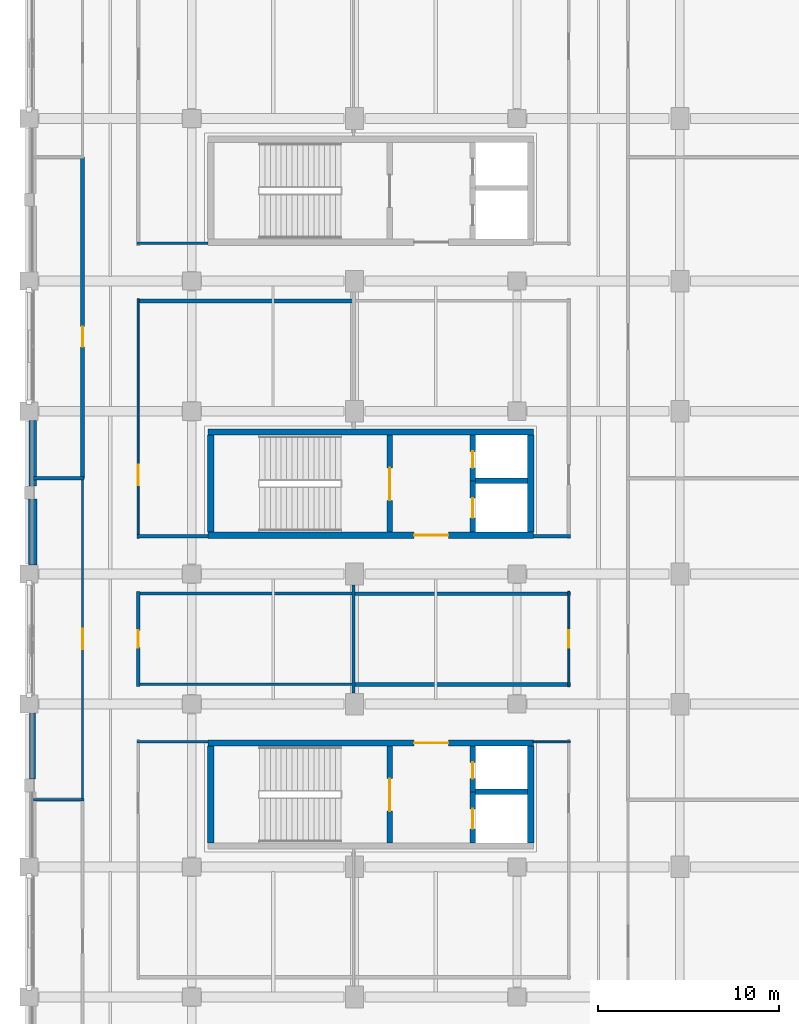
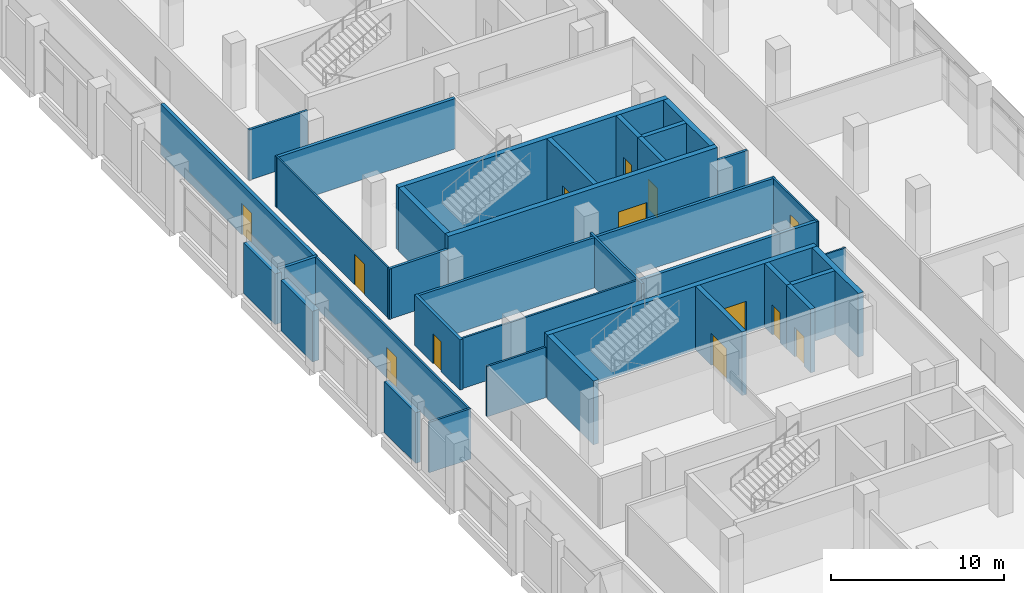
# One storey, part 70 of 111: 36 walls, 13 doors, 13 openings.
"""IFC4 building model written with IfcOpenShell, lengths in metres."""

from ifc_helpers import new_model, si_unit, direction, frame, frame_2d, origin, place, context, subcontext, project, spatial, rectangle, extrude, material, layer, layer_set, type_object, element, fill, save


model = new_model("IFC4")

# Units and contexts
model_context = context("Model", 3, precision=1e-05, world=origin(), true_north=direction((0.0, 1.0)))
body_context = subcontext(model_context, "Body", "Model", "MODEL_VIEW")
ifc_project = project(units=[si_unit("LENGTHUNIT", "METRE"), si_unit("AREAUNIT", "SQUARE_METRE"), si_unit("VOLUMEUNIT", "CUBIC_METRE"), si_unit("PLANEANGLEUNIT", "RADIAN"), si_unit("MASSUNIT", "GRAM", prefix="KILO"), si_unit("THERMODYNAMICTEMPERATUREUNIT", "KELVIN"), si_unit("POWERUNIT", "WATT")], contexts=[model_context])

# Site, building, storey
site_placement = place(None, origin())
site = spatial("IfcSite", under=ifc_project, at=site_placement, CompositionType="ELEMENT")
building_placement = place(site_placement, origin())
building = spatial("IfcBuilding", under=site, at=building_placement, Name="Sindhuravela Promenade Stadium", CompositionType="ELEMENT")
storey_placement = place(building_placement, frame((0.0, 0.0, 9.60009765625)))
storey = spatial("IfcBuildingStorey", under=building, at=storey_placement, Name="L02", CompositionType="ELEMENT", Elevation=9.60009765625)

# Walls
ifc_material_1 = material(Name="Terracotta clay brick masonry (15 MPa)", Category="masonry")
ifc_layer_1 = layer(ifc_material_1, 0.340087890625)
ifc_layer_set_1 = layer_set([ifc_layer_1], Name="Terracotta clay brick masonry (15 MPa)")
wall_type_1 = type_object("IfcWallType", Name="EX-WL-BRK340", PredefinedType="SOLIDWALL", material=ifc_layer_set_1)
wall_1_placement = place(storey_placement, frame((0.199951171875, 73.2548828125, 0.0), z_axis=(0.0, 0.0, 1.0), x_axis=(0.0, 1.0, 0.0)))
element("IfcWall", 1, at=wall_1_placement, inside=storey, type_object=wall_type_1, Name="Exterior masonry wall EW06 WEST L02", PredefinedType="SOLIDWALL", context=body_context, shape_type="SweptSolid", body=[
    extrude(rectangle(XDim=3.64013671875, YDim=0.340087890625, at=frame_2d((1.820068359375, 0.0))), origin(), (0.0, 0.0, 1.0), 3.579833984375),
])
ifc_layer_2 = layer(ifc_material_1, 0.419921875)
ifc_layer_set_2 = layer_set([ifc_layer_2], Name="Terracotta clay brick masonry (15 MPa)")
wall_type_2 = type_object("IfcWallType", Name="EX-WL-BRK420", PredefinedType="SOLIDWALL", material=ifc_layer_set_2)
wall_2_placement = place(storey_placement, frame((0.199951171875, 89.455078125, 0.0), z_axis=(0.0, 0.0, 1.0), x_axis=(0.0, 1.0, 0.0)))
element("IfcWall", 2, at=wall_2_placement, inside=storey, type_object=wall_type_2, Name="Exterior masonry wall EW02 WEST L02", PredefinedType="SOLIDWALL", context=body_context, shape_type="SweptSolid", body=[
    extrude(rectangle(XDim=3.639892578125, YDim=0.419921875, at=frame_2d((1.81982421875, 0.0))), origin(), (0.0, 0.0, 1.0), 3.579833984375),
])
ifc_layer_3 = layer(ifc_material_1, 0.4599609375)
ifc_layer_set_3 = layer_set([ifc_layer_3], Name="Terracotta clay brick masonry (15 MPa)")
wall_type_3 = type_object("IfcWallType", Name="EX-WL-BRK460", PredefinedType="SOLIDWALL", material=ifc_layer_set_3)
wall_3_placement = place(storey_placement, frame((0.199951171875, 85.10498046875, 0.0), z_axis=(0.0, 0.0, 1.0), x_axis=(0.0, 1.0, 0.0)))
element("IfcWall", 3, at=wall_3_placement, inside=storey, type_object=wall_type_3, Name="Exterior masonry wall EW01 WEST L02", PredefinedType="SOLIDWALL", context=body_context, shape_type="SweptSolid", body=[
    extrude(rectangle(XDim=3.64013671875, YDim=0.4599609375, at=frame_2d((1.820068359375, 0.0))), origin(), (0.0, 0.0, 1.0), 3.579833984375),
])

# Wall, opening, door
ifc_material_2 = material(Name="Fire-rated gypsum partition board", Category="gypsum")
ifc_layer_4 = layer(ifc_material_2, 0.110107421875)
ifc_layer_set_4 = layer_set([ifc_layer_4], Name="Fire-rated gypsum partition board")
wall_type_4 = type_object("IfcWallType", Name="IN-WL-PAR110", PredefinedType="PARTITIONING", material=ifc_layer_set_4)
wall_4_placement = place(storey_placement, frame((6.0400390625, 99.830078125, 0.0), z_axis=(0.0, 0.0, 1.0), x_axis=(0.0, -1.0, 0.0)))
wall_4 = element("IfcWall", 4, at=wall_4_placement, inside=storey, type_object=wall_type_4, Name="Corridor partition IW06 Members Dining Hall West 3", PredefinedType="PARTITIONING", context=body_context, shape_type="SweptSolid", body=[
    extrude(rectangle(XDim=13.260009765625, YDim=0.110107421875, at=frame_2d((6.6298828125, 0.0))), origin(), (0.0, 0.0, 1.0), 3.559814453125),
])
opening_1_placement = place(wall_4_placement, frame((9.1796875, 0.0, 0.0)))
opening_1 = element("IfcOpeningElement", 5, at=opening_1_placement, cuts=wall_4, Name="Opening ID05", PredefinedType="OPENING", context=body_context, shape_type="SweptSolid", body=[
    extrude(rectangle(XDim=1.14990234375, YDim=2.14990234375, at=frame_2d((0.574951171875, 1.074951171875))), frame((0.0, 0.06494140625, 0.0), z_axis=(0.0, -1.0, 0.0), x_axis=(1.0, 0.0, 0.0)), (0.0, 0.0, 1.0), 0.130126953125),
])
ifc_material_3 = material(Name="Architectural teak timber leaf", Category="wood")
door_type_1 = type_object("IfcDoorType", Name="DR-INT-1150x2150", OperationType="NOTDEFINED", PredefinedType="DOOR", material=ifc_material_3)
door_1_placement = place(opening_1_placement, origin())
door_1 = element("IfcDoor", 6, at=door_1_placement, inside=storey, type_object=door_type_1, Name="Members Dining Hall West 3 door", OperationType="SINGLE_SWING_RIGHT", OverallHeight=2.14990234375, OverallWidth=1.14990234375, PredefinedType="DOOR", context=body_context, shape_type="SweptSolid", body=[
    extrude(rectangle(XDim=1.14990234375, YDim=2.14990234375, at=frame_2d((0.574951171875, 1.074951171875))), frame((0.0, 0.02490234375, 0.0), z_axis=(0.0, -1.0, 0.0), x_axis=(1.0, 0.0, 0.0)), (0.0, 0.0, 1.0), 0.050048828125),
])
fill(opening_1, door_1)

# Wall
wall_5_placement = place(storey_placement, frame((27.902099609375, 75.31005859375, 0.0), z_axis=(0.0, 0.0, 1.0), x_axis=(1.0, 0.0, 0.0)))
element("IfcWall", 7, at=wall_5_placement, inside=storey, type_object=wall_type_4, Name="Interior partition IW06 WEST L02", PredefinedType="PARTITIONING", context=body_context, shape_type="SweptSolid", body=[
    extrude(rectangle(XDim=2.037841796875, YDim=0.110107421875, at=frame_2d((1.01904296875, 0.0))), origin(), (0.0, 0.0, 1.0), 3.559814453125),
])

# Wall, opening, door
wall_6_placement = place(storey_placement, frame((29.860107421875, 78.3701171875, 0.0), z_axis=(0.0, 0.0, 1.0), x_axis=(0.0, 1.0, 0.0)))
wall_6 = element("IfcWall", 8, at=wall_6_placement, inside=storey, type_object=wall_type_4, Name="Corridor partition IW06 Club Toilet Suite West L02 8", PredefinedType="PARTITIONING", context=body_context, shape_type="SweptSolid", body=[
    extrude(rectangle(XDim=5.259765625, YDim=0.110107421875, at=frame_2d((2.6298828125, 0.0))), origin(), (0.0, 0.0, 1.0), 3.559814453125),
])
opening_2_placement = place(wall_6_placement, frame((2.155029296875, 0.0, 0.0)))
opening_2 = element("IfcOpeningElement", 9, at=opening_2_placement, cuts=wall_6, Name="Opening ID10", PredefinedType="OPENING", context=body_context, shape_type="SweptSolid", body=[
    extrude(rectangle(XDim=0.949951171875, YDim=2.179931640625, at=frame_2d((0.47509765625, 1.08984375))), frame((0.0, 0.06494140625, 0.0), z_axis=(0.0, -1.0, 0.0), x_axis=(1.0, 0.0, 0.0)), (0.0, 0.0, 1.0), 0.130126953125),
])
door_type_2 = type_object("IfcDoorType", Name="DR-INT-950x2180", OperationType="NOTDEFINED", PredefinedType="DOOR", material=ifc_material_3)
door_2_placement = place(opening_2_placement, origin())
door_2 = element("IfcDoor", 10, at=door_2_placement, inside=storey, type_object=door_type_2, Name="Club Toilet Suite West L02 8 door", OperationType="SINGLE_SWING_LEFT", OverallHeight=2.179931640625, OverallWidth=0.949951171875, PredefinedType="DOOR", context=body_context, shape_type="SweptSolid", body=[
    extrude(rectangle(XDim=0.949951171875, YDim=2.179931640625, at=frame_2d((0.47509765625, 1.08984375))), frame((0.0, 0.02490234375, 0.0), z_axis=(0.0, -1.0, 0.0), x_axis=(1.0, 0.0, 0.0)), (0.0, 0.0, 1.0), 0.050048828125),
])
fill(opening_2, door_2)

# Walls
ifc_layer_5 = layer(ifc_material_2, 0.1298828125)
ifc_layer_set_5 = layer_set([ifc_layer_5], Name="Fire-rated gypsum partition board")
wall_type_5 = type_object("IfcWallType", Name="IN-WL-PAR130", PredefinedType="PARTITIONING", material=ifc_layer_set_5)
wall_7_placement = place(storey_placement, frame((5.9599609375, 75.31005859375, 0.0), z_axis=(0.0, 0.0, 1.0), x_axis=(1.0, 0.0, 0.0)))
element("IfcWall", 11, at=wall_7_placement, inside=storey, type_object=wall_type_5, Name="Interior partition IW05 WEST L02", PredefinedType="PARTITIONING", context=body_context, shape_type="SweptSolid", body=[
    extrude(rectangle(XDim=3.93798828125, YDim=0.1298828125, at=frame_2d((1.968994140625, 0.0))), origin(), (0.0, 0.0, 1.0), 3.559814453125),
])
wall_8_placement = place(storey_placement, frame((17.909912109375, 78.489990234375, 0.0), z_axis=(0.0, 0.0, 1.0), x_axis=(-1.0, 0.0, 0.0)))
element("IfcWall", 12, at=wall_8_placement, inside=storey, type_object=wall_type_5, Name="Interior partition IW05 WEST L02", PredefinedType="PARTITIONING", context=body_context, shape_type="SweptSolid", body=[
    extrude(rectangle(XDim=11.949951171875, YDim=0.1298828125, at=frame_2d((5.97509765625, 0.0))), origin(), (0.0, 0.0, 1.0), 3.559814453125),
])

# Wall, opening, door
wall_9_placement = place(storey_placement, frame((2.9599609375, 72.114013671875, 0.0), z_axis=(0.0, 0.0, 1.0), x_axis=(0.0, 1.0, 0.0)))
wall_9 = element("IfcWall", 13, at=wall_9_placement, inside=storey, type_object=wall_type_5, Name="Corridor partition IW05 VIP Coat and Concierge Room 13", PredefinedType="PARTITIONING", context=body_context, shape_type="SweptSolid", body=[
    extrude(rectangle(XDim=17.77197265625, YDim=0.1298828125, at=frame_2d((8.885986328125, 0.0))), origin(), (0.0, 0.0, 1.0), 3.559814453125),
])
opening_3_placement = place(wall_9_placement, frame((8.31103515625, 0.0, 0.0)))
opening_3 = element("IfcOpeningElement", 14, at=opening_3_placement, cuts=wall_9, Name="Opening ID05", PredefinedType="OPENING", context=body_context, shape_type="SweptSolid", body=[
    extrude(rectangle(XDim=1.14990234375, YDim=2.14990234375, at=frame_2d((0.574951171875, 1.074951171875))), frame((0.0, 0.074951171875, 0.0), z_axis=(0.0, -1.0, 0.0), x_axis=(1.0, 0.0, 0.0)), (0.0, 0.0, 1.0), 0.14990234375),
])
door_3_placement = place(opening_3_placement, origin())
door_3 = element("IfcDoor", 15, at=door_3_placement, inside=storey, type_object=door_type_1, Name="VIP Coat and Concierge Room 13 door", OperationType="SINGLE_SWING_RIGHT", OverallHeight=2.14990234375, OverallWidth=1.14990234375, PredefinedType="DOOR", context=body_context, shape_type="SweptSolid", body=[
    extrude(rectangle(XDim=1.14990234375, YDim=2.14990234375, at=frame_2d((0.574951171875, 1.074951171875))), frame((0.0, 0.02490234375, 0.0), z_axis=(0.0, -1.0, 0.0), x_axis=(1.0, 0.0, 0.0)), (0.0, 0.0, 1.0), 0.050048828125),
])
fill(opening_3, door_3)

# Walls
ifc_layer_6 = layer(ifc_material_2, 0.14990234375)
ifc_layer_set_6 = layer_set([ifc_layer_6], Name="Fire-rated gypsum partition board")
wall_type_6 = type_object("IfcWallType", Name="IN-WL-PAR150", PredefinedType="PARTITIONING", material=ifc_layer_set_6)
wall_10_placement = place(storey_placement, frame((9.89794921875, 102.889892578125, 0.0), z_axis=(0.0, 0.0, 1.0), x_axis=(-1.0, 0.0, 0.0)))
element("IfcWall", 16, at=wall_10_placement, inside=storey, type_object=wall_type_6, Name="Interior partition IW04 WEST L02", PredefinedType="PARTITIONING", context=body_context, shape_type="SweptSolid", body=[
    extrude(rectangle(XDim=3.93798828125, YDim=0.14990234375, at=frame_2d((1.968994140625, 0.0))), origin(), (0.0, 0.0, 1.0), 3.559814453125),
])
wall_11_placement = place(storey_placement, frame((17.949951171875, 83.998046875, 0.0), z_axis=(0.0, 0.0, 1.0), x_axis=(0.0, -1.0, 0.0)))
element("IfcWall", 17, at=wall_11_placement, inside=storey, type_object=wall_type_6, Name="Interior partition IW04 WEST L02", PredefinedType="PARTITIONING", context=body_context, shape_type="SweptSolid", body=[
    extrude(rectangle(XDim=5.99609375, YDim=0.14990234375, at=frame_2d((2.998046875, 0.0))), origin(), (0.0, 0.0, 1.0), 3.559814453125),
])
wall_12_placement = place(storey_placement, frame((0.239990234375, 72.114013671875, 0.0), z_axis=(0.0, 0.0, 1.0), x_axis=(1.0, 0.0, 0.0)))
element("IfcWall", 18, at=wall_12_placement, inside=storey, type_object=wall_type_6, Name="Interior partition IW04 WEST L02", PredefinedType="PARTITIONING", context=body_context, shape_type="SweptSolid", body=[
    extrude(rectangle(XDim=2.800048828125, YDim=0.14990234375, at=frame_2d((1.39990234375, 0.0))), origin(), (0.0, 0.0, 1.0), 3.559814453125),
])
ifc_layer_7 = layer(ifc_material_2, 0.175048828125)
ifc_layer_set_7 = layer_set([ifc_layer_7], Name="Fire-rated gypsum partition board")
wall_type_7 = type_object("IfcWallType", Name="IN-WL-PAR175", PredefinedType="PARTITIONING", material=ifc_layer_set_7)
wall_13_placement = place(storey_placement, frame((9.89794921875, 86.68994140625, 0.0), z_axis=(0.0, 0.0, 1.0), x_axis=(-1.0, 0.0, 0.0)))
element("IfcWall", 19, at=wall_13_placement, inside=storey, type_object=wall_type_7, Name="Interior partition IW03 WEST L02", PredefinedType="PARTITIONING", context=body_context, shape_type="SweptSolid", body=[
    extrude(rectangle(XDim=3.93798828125, YDim=0.175048828125, at=frame_2d((1.968994140625, 0.0))), origin(), (0.0, 0.0, 1.0), 3.559814453125),
])
wall_14_placement = place(storey_placement, frame((29.93994140625, 86.68994140625, 0.0), z_axis=(0.0, 0.0, 1.0), x_axis=(-1.0, 0.0, 0.0)))
element("IfcWall", 20, at=wall_14_placement, inside=storey, type_object=wall_type_7, Name="Interior partition IW03 WEST L02", PredefinedType="PARTITIONING", context=body_context, shape_type="SweptSolid", body=[
    extrude(rectangle(XDim=2.037841796875, YDim=0.175048828125, at=frame_2d((1.01904296875, 0.0))), origin(), (0.0, 0.0, 1.0), 3.559814453125),
])
wall_15_placement = place(storey_placement, frame((5.9599609375, 83.510009765625, 0.0), z_axis=(0.0, 0.0, 1.0), x_axis=(1.0, 0.0, 0.0)))
element("IfcWall", 21, at=wall_15_placement, inside=storey, type_object=wall_type_7, Name="Interior partition IW03 WEST L02", PredefinedType="PARTITIONING", context=body_context, shape_type="SweptSolid", body=[
    extrude(rectangle(XDim=11.949951171875, YDim=0.175048828125, at=frame_2d((5.97509765625, 0.0))), origin(), (0.0, 0.0, 1.0), 3.559814453125),
])

# Wall, opening, door
ifc_layer_8 = layer(ifc_material_2, 0.195068359375)
ifc_layer_set_8 = layer_set([ifc_layer_8], Name="Fire-rated gypsum partition board")
wall_type_8 = type_object("IfcWallType", Name="IN-WL-PAR195", PredefinedType="PARTITIONING", material=ifc_layer_set_8)
wall_16_placement = place(storey_placement, frame((6.0400390625, 83.6298828125, 0.0), z_axis=(0.0, 0.0, 1.0), x_axis=(0.0, -1.0, 0.0)))
wall_16 = element("IfcWall", 22, at=wall_16_placement, inside=storey, type_object=wall_type_8, Name="Corridor partition IW02 Accessible WC West L02 7", PredefinedType="PARTITIONING", context=body_context, shape_type="SweptSolid", body=[
    extrude(rectangle(XDim=5.259765625, YDim=0.195068359375, at=frame_2d((2.6298828125, 0.0))), origin(), (0.0, 0.0, 1.0), 3.559814453125),
])
opening_4_placement = place(wall_16_placement, frame((2.155029296875, 0.0, 0.0)))
opening_4 = element("IfcOpeningElement", 23, at=opening_4_placement, cuts=wall_16, Name="Opening ID09", PredefinedType="OPENING", context=body_context, shape_type="SweptSolid", body=[
    extrude(rectangle(XDim=0.949951171875, YDim=2.10009765625, at=frame_2d((0.47509765625, 1.050048828125))), frame((0.0, 0.107421875, 0.0), z_axis=(0.0, -1.0, 0.0), x_axis=(1.0, 0.0, 0.0)), (0.0, 0.0, 1.0), 0.215087890625),
])
door_type_3 = type_object("IfcDoorType", Name="DR-INT-950x2100", OperationType="NOTDEFINED", PredefinedType="DOOR", material=ifc_material_3)
door_4_placement = place(opening_4_placement, origin())
door_4 = element("IfcDoor", 24, at=door_4_placement, inside=storey, type_object=door_type_3, Name="Accessible WC West L02 7 door", OperationType="SINGLE_SWING_RIGHT", OverallHeight=2.10009765625, OverallWidth=0.949951171875, PredefinedType="DOOR", context=body_context, shape_type="SweptSolid", body=[
    extrude(rectangle(XDim=0.949951171875, YDim=2.10009765625, at=frame_2d((0.47509765625, 1.050048828125))), frame((0.0, 0.02490234375, 0.0), z_axis=(0.0, -1.0, 0.0), x_axis=(1.0, 0.0, 0.0)), (0.0, 0.0, 1.0), 0.050048828125),
])
fill(opening_4, door_4)

# Walls
wall_17_placement = place(storey_placement, frame((17.989990234375, 83.510009765625, 0.0), z_axis=(0.0, 0.0, 1.0), x_axis=(1.0, 0.0, 0.0)))
element("IfcWall", 25, at=wall_17_placement, inside=storey, type_object=wall_type_8, Name="Interior partition IW02 WEST L02", PredefinedType="PARTITIONING", context=body_context, shape_type="SweptSolid", body=[
    extrude(rectangle(XDim=11.949951171875, YDim=0.195068359375, at=frame_2d((5.97509765625, 0.0))), origin(), (0.0, 0.0, 1.0), 3.559814453125),
])
wall_18_placement = place(storey_placement, frame((3.0400390625, 89.885986328125, 0.0), z_axis=(0.0, 0.0, 1.0), x_axis=(-1.0, 0.0, 0.0)))
element("IfcWall", 26, at=wall_18_placement, inside=storey, type_object=wall_type_8, Name="Interior partition IW02 WEST L02", PredefinedType="PARTITIONING", context=body_context, shape_type="SweptSolid", body=[
    extrude(rectangle(XDim=2.800048828125, YDim=0.195068359375, at=frame_2d((1.39990234375, 0.0))), origin(), (0.0, 0.0, 1.0), 3.559814453125),
])
ifc_layer_9 = layer(ifc_material_2, 0.219970703125)
ifc_layer_set_9 = layer_set([ifc_layer_9], Name="Fire-rated gypsum partition board")
wall_type_9 = type_object("IfcWallType", Name="IN-WL-PAR220", PredefinedType="PARTITIONING", material=ifc_layer_set_9)
for number, where, z_axis, x_axis, name in (
    (27, (5.9599609375, 99.7099609375, 0.0), (0.0, 0.0, 1.0), (1.0, 0.0, 0.0), "Interior partition IW01 WEST L02"),
    (28, (29.93994140625, 78.489990234375, 0.0), (0.0, 0.0, 1.0), (-1.0, 0.0, 0.0), "Interior partition IW01 WEST L02"),
):
    element("IfcWall", number, at=place(storey_placement, frame(where, z_axis=z_axis, x_axis=x_axis)), inside=storey, type_object=wall_type_9, Name=name, PredefinedType="PARTITIONING", context=body_context, shape_type="SweptSolid", body=[
        extrude(rectangle(XDim=11.949951171875, YDim=0.219970703125, at=frame_2d((5.97509765625, 0.0))), origin(), (0.0, 0.0, 1.0), 3.559814453125),
    ])

# Wall, opening, door
wall_19_placement = place(storey_placement, frame((2.9599609375, 89.885986328125, 0.0), z_axis=(0.0, 0.0, 1.0), x_axis=(0.0, 1.0, 0.0)))
wall_19 = element("IfcWall", 29, at=wall_19_placement, inside=storey, type_object=wall_type_9, Name="Corridor partition IW01 Club Finishing Kitchen West 11", PredefinedType="PARTITIONING", context=body_context, shape_type="SweptSolid", body=[
    extrude(rectangle(XDim=17.77197265625, YDim=0.219970703125, at=frame_2d((8.885986328125, 0.0))), origin(), (0.0, 0.0, 1.0), 3.559814453125),
])
opening_5_placement = place(wall_19_placement, frame((7.274169921875, 0.0, 0.0)))
opening_5 = element("IfcOpeningElement", 30, at=opening_5_placement, cuts=wall_19, Name="Opening ID13", PredefinedType="OPENING", context=body_context, shape_type="SweptSolid", body=[
    extrude(rectangle(XDim=1.1201171875, YDim=2.219970703125, at=frame_2d((0.56005859375, 1.10986328125))), frame((0.0, 0.119873046875, 0.0), z_axis=(0.0, -1.0, 0.0), x_axis=(1.0, 0.0, 0.0)), (0.0, 0.0, 1.0), 0.239990234375),
])
door_type_4 = type_object("IfcDoorType", Name="DR-INT-1120x2220", OperationType="NOTDEFINED", PredefinedType="DOOR", material=ifc_material_3)
door_5_placement = place(opening_5_placement, origin())
door_5 = element("IfcDoor", 31, at=door_5_placement, inside=storey, type_object=door_type_4, Name="Club Finishing Kitchen West 11 door", OperationType="SINGLE_SWING_RIGHT", OverallHeight=2.219970703125, OverallWidth=1.1201171875, PredefinedType="DOOR", context=body_context, shape_type="SweptSolid", body=[
    extrude(rectangle(XDim=1.1201171875, YDim=2.219970703125, at=frame_2d((0.56005859375, 1.10986328125))), frame((0.0, 0.02490234375, 0.0), z_axis=(0.0, -1.0, 0.0), x_axis=(1.0, 0.0, 0.0)), (0.0, 0.0, 1.0), 0.050048828125),
])
fill(opening_5, door_5)

ifc_material_4 = material(Name="Concrete M50", Category="concrete")
ifc_layer_10 = layer(ifc_material_4, 0.300048828125)
ifc_layer_set_10 = layer_set([ifc_layer_10], Name="Concrete M50")
wall_type_10 = type_object("IfcWallType", Name="RC-SW-300", PredefinedType="SHEAR", material=ifc_layer_set_10)
wall_20_placement = place(storey_placement, frame((19.949951171875, 69.72509765625, 0.0), z_axis=(0.0, 0.0, 1.0), x_axis=(0.0, 1.0, 0.0)))
wall_20 = element("IfcWall", 32, at=wall_20_placement, inside=storey, type_object=wall_type_10, Name="Core shear wall C02-ST (L02)", PredefinedType="SHEAR", context=body_context, shape_type="SweptSolid", body=[
    extrude(rectangle(XDim=5.349853515625, YDim=0.300048828125, at=frame_2d((2.6748046875, 0.0))), origin(), (0.0, 0.0, 1.0), 4.5),
])
opening_6_placement = place(wall_20_placement, frame((1.75, 0.0, 0.0)))
opening_6 = element("IfcOpeningElement", 33, at=opening_6_placement, cuts=wall_20, Name="Opening FD01", PredefinedType="OPENING", context=body_context, shape_type="SweptSolid", body=[
    extrude(rectangle(XDim=1.800048828125, YDim=2.25, at=frame_2d((0.89990234375, 1.125))), frame((0.0, 0.159912109375, 0.0), z_axis=(0.0, -1.0, 0.0), x_axis=(1.0, 0.0, 0.0)), (0.0, 0.0, 1.0), 0.320068359375),
])
ifc_material_5 = material(Name="Architectural wrought steel E350", Category="steel")
door_type_5 = type_object("IfcDoorType", Name="DR-CORE-1800x2250", OperationType="DOUBLE_DOOR_SINGLE_SWING", PredefinedType="DOOR", material=ifc_material_5)
door_6_placement = place(opening_6_placement, origin())
door_6 = element("IfcDoor", 34, at=door_6_placement, inside=storey, type_object=door_type_5, Name="Stair ST02 lobby fire door (L02)", OperationType="DOUBLE_DOOR_SINGLE_SWING", OverallHeight=2.25, OverallWidth=1.800048828125, PredefinedType="DOOR", context=body_context, shape_type="SweptSolid", body=[
    extrude(rectangle(XDim=1.800048828125, YDim=2.25, at=frame_2d((0.89990234375, 1.125))), frame((0.0, 0.02490234375, 0.0), z_axis=(0.0, -1.0, 0.0), x_axis=(1.0, 0.0, 0.0)), (0.0, 0.0, 1.0), 0.050048828125),
])
fill(opening_6, door_6)

wall_21_placement = place(storey_placement, frame((24.550048828125, 69.72509765625, 0.0), z_axis=(0.0, 0.0, 1.0), x_axis=(0.0, 1.0, 0.0)))
wall_21 = element("IfcWall", 35, at=wall_21_placement, inside=storey, type_object=wall_type_10, Name="Core shear wall C02-LFT (L02)", PredefinedType="SHEAR", context=body_context, shape_type="SweptSolid", body=[
    extrude(rectangle(XDim=2.824951171875, YDim=0.300048828125, at=frame_2d((1.41259765625, 0.0))), origin(), (0.0, 0.0, 1.0), 4.5),
])
opening_7_placement = place(wall_21_placement, frame((0.77490234375, 0.0, 0.0)))
opening_7 = element("IfcOpeningElement", 36, at=opening_7_placement, cuts=wall_21, Name="Opening LD", PredefinedType="OPENING", context=body_context, shape_type="SweptSolid", body=[
    extrude(rectangle(XDim=1.10009765625, YDim=2.10009765625, at=frame_2d((0.550048828125, 1.050048828125))), frame((0.0, 0.159912109375, 0.0), z_axis=(0.0, -1.0, 0.0), x_axis=(1.0, 0.0, 0.0)), (0.0, 0.0, 1.0), 0.320068359375),
])
door_type_6 = type_object("IfcDoorType", Name="DR-LFT-1100x2100", OperationType="DOUBLE_DOOR_SLIDING", PredefinedType="DOOR", material=ifc_material_5)
door_7_placement = place(opening_7_placement, origin())
door_7 = element("IfcDoor", 37, at=door_7_placement, inside=storey, type_object=door_type_6, Name="Lift FL02 landing door (L02)", OperationType="DOUBLE_DOOR_SLIDING", OverallHeight=2.10009765625, OverallWidth=1.10009765625, PredefinedType="DOOR", context=body_context, shape_type="SweptSolid", body=[
    extrude(rectangle(XDim=1.10009765625, YDim=2.10009765625, at=frame_2d((0.550048828125, 1.050048828125))), frame((0.0, 0.02490234375, 0.0), z_axis=(0.0, -1.0, 0.0), x_axis=(1.0, 0.0, 0.0)), (0.0, 0.0, 1.0), 0.050048828125),
])
fill(opening_7, door_7)

wall_22_placement = place(storey_placement, frame((24.550048828125, 72.550048828125, 0.0), z_axis=(0.0, 0.0, 1.0), x_axis=(0.0, 1.0, 0.0)))
wall_22 = element("IfcWall", 38, at=wall_22_placement, inside=storey, type_object=wall_type_10, Name="Core shear wall C02-RSR (L02)", PredefinedType="SHEAR", context=body_context, shape_type="SweptSolid", body=[
    extrude(rectangle(XDim=2.52490234375, YDim=0.300048828125, at=frame_2d((1.262451171875, 0.0))), origin(), (0.0, 0.0, 1.0), 4.5),
])
opening_8_placement = place(wall_22_placement, frame((0.72509765625, 0.0, 0.0)))
opening_8 = element("IfcOpeningElement", 39, at=opening_8_placement, cuts=wall_22, Name="Opening FD03", PredefinedType="OPENING", context=body_context, shape_type="SweptSolid", body=[
    extrude(rectangle(XDim=0.89990234375, YDim=2.10009765625, at=frame_2d((0.449951171875, 1.050048828125))), frame((0.0, 0.159912109375, 0.0), z_axis=(0.0, -1.0, 0.0), x_axis=(1.0, 0.0, 0.0)), (0.0, 0.0, 1.0), 0.320068359375),
])
door_type_7 = type_object("IfcDoorType", Name="DR-RSR-900x2100", OperationType="NOTDEFINED", PredefinedType="DOOR", material=ifc_material_5)
door_8_placement = place(opening_8_placement, origin())
door_8 = element("IfcDoor", 40, at=door_8_placement, inside=storey, type_object=door_type_7, Name="Riser shaft access door C02 (L02)", OperationType="SINGLE_SWING_LEFT", OverallHeight=2.10009765625, OverallWidth=0.89990234375, PredefinedType="DOOR", context=body_context, shape_type="SweptSolid", body=[
    extrude(rectangle(XDim=0.89990234375, YDim=2.10009765625, at=frame_2d((0.449951171875, 1.050048828125))), frame((0.0, 0.02490234375, 0.0), z_axis=(0.0, -1.0, 0.0), x_axis=(1.0, 0.0, 0.0)), (0.0, 0.0, 1.0), 0.050048828125),
])
fill(opening_8, door_8)

# Wall
wall_23_placement = place(storey_placement, frame((24.699951171875, 72.550048828125, 0.0), z_axis=(0.0, 0.0, 1.0), x_axis=(1.0, 0.0, 0.0)))
element("IfcWall", 41, at=wall_23_placement, inside=storey, type_object=wall_type_10, Name="Core shear wall C02-DIV (L02)", PredefinedType="SHEAR", context=body_context, shape_type="SweptSolid", body=[
    extrude(rectangle(XDim=2.875, YDim=0.300048828125, at=frame_2d((1.4375, 0.0))), origin(), (0.0, 0.0, 1.0), 4.5),
])

# Wall, opening, door
wall_24_placement = place(storey_placement, frame((19.949951171875, 86.925048828125, 0.0), z_axis=(0.0, 0.0, 1.0), x_axis=(0.0, 1.0, 0.0)))
wall_24 = element("IfcWall", 42, at=wall_24_placement, inside=storey, type_object=wall_type_10, Name="Core shear wall C03-ST (L02)", PredefinedType="SHEAR", context=body_context, shape_type="SweptSolid", body=[
    extrude(rectangle(XDim=5.349853515625, YDim=0.300048828125, at=frame_2d((2.6748046875, 0.0))), origin(), (0.0, 0.0, 1.0), 4.5),
])
opening_9_placement = place(wall_24_placement, frame((1.75, 0.0, 0.0)))
opening_9 = element("IfcOpeningElement", 43, at=opening_9_placement, cuts=wall_24, Name="Opening FD01", PredefinedType="OPENING", context=body_context, shape_type="SweptSolid", body=[
    extrude(rectangle(XDim=1.800048828125, YDim=2.25, at=frame_2d((0.89990234375, 1.125))), frame((0.0, 0.159912109375, 0.0), z_axis=(0.0, -1.0, 0.0), x_axis=(1.0, 0.0, 0.0)), (0.0, 0.0, 1.0), 0.320068359375),
])
door_9_placement = place(opening_9_placement, origin())
door_9 = element("IfcDoor", 44, at=door_9_placement, inside=storey, type_object=door_type_5, Name="Stair ST03 lobby fire door (L02)", OperationType="DOUBLE_DOOR_SINGLE_SWING", OverallHeight=2.25, OverallWidth=1.800048828125, PredefinedType="DOOR", context=body_context, shape_type="SweptSolid", body=[
    extrude(rectangle(XDim=1.800048828125, YDim=2.25, at=frame_2d((0.89990234375, 1.125))), frame((0.0, 0.02490234375, 0.0), z_axis=(0.0, -1.0, 0.0), x_axis=(1.0, 0.0, 0.0)), (0.0, 0.0, 1.0), 0.050048828125),
])
fill(opening_9, door_9)

wall_25_placement = place(storey_placement, frame((24.550048828125, 86.925048828125, 0.0), z_axis=(0.0, 0.0, 1.0), x_axis=(0.0, 1.0, 0.0)))
wall_25 = element("IfcWall", 45, at=wall_25_placement, inside=storey, type_object=wall_type_10, Name="Core shear wall C03-LFT (L02)", PredefinedType="SHEAR", context=body_context, shape_type="SweptSolid", body=[
    extrude(rectangle(XDim=2.824951171875, YDim=0.300048828125, at=frame_2d((1.41259765625, 0.0))), origin(), (0.0, 0.0, 1.0), 4.5),
])
opening_10_placement = place(wall_25_placement, frame((0.77490234375, 0.0, 0.0)))
opening_10 = element("IfcOpeningElement", 46, at=opening_10_placement, cuts=wall_25, Name="Opening LD", PredefinedType="OPENING", context=body_context, shape_type="SweptSolid", body=[
    extrude(rectangle(XDim=1.10009765625, YDim=2.10009765625, at=frame_2d((0.550048828125, 1.050048828125))), frame((0.0, 0.159912109375, 0.0), z_axis=(0.0, -1.0, 0.0), x_axis=(1.0, 0.0, 0.0)), (0.0, 0.0, 1.0), 0.320068359375),
])
door_10_placement = place(opening_10_placement, origin())
door_10 = element("IfcDoor", 47, at=door_10_placement, inside=storey, type_object=door_type_6, Name="Lift FL03 landing door (L02)", OperationType="DOUBLE_DOOR_SLIDING", OverallHeight=2.10009765625, OverallWidth=1.10009765625, PredefinedType="DOOR", context=body_context, shape_type="SweptSolid", body=[
    extrude(rectangle(XDim=1.10009765625, YDim=2.10009765625, at=frame_2d((0.550048828125, 1.050048828125))), frame((0.0, 0.02490234375, 0.0), z_axis=(0.0, -1.0, 0.0), x_axis=(1.0, 0.0, 0.0)), (0.0, 0.0, 1.0), 0.050048828125),
])
fill(opening_10, door_10)

wall_26_placement = place(storey_placement, frame((24.550048828125, 89.75, 0.0), z_axis=(0.0, 0.0, 1.0), x_axis=(0.0, 1.0, 0.0)))
wall_26 = element("IfcWall", 48, at=wall_26_placement, inside=storey, type_object=wall_type_10, Name="Core shear wall C03-RSR (L02)", PredefinedType="SHEAR", context=body_context, shape_type="SweptSolid", body=[
    extrude(rectangle(XDim=2.52490234375, YDim=0.300048828125, at=frame_2d((1.262451171875, 0.0))), origin(), (0.0, 0.0, 1.0), 4.5),
])
opening_11_placement = place(wall_26_placement, frame((0.72509765625, 0.0, 0.0)))
opening_11 = element("IfcOpeningElement", 49, at=opening_11_placement, cuts=wall_26, Name="Opening FD03", PredefinedType="OPENING", context=body_context, shape_type="SweptSolid", body=[
    extrude(rectangle(XDim=0.89990234375, YDim=2.10009765625, at=frame_2d((0.449951171875, 1.050048828125))), frame((0.0, 0.159912109375, 0.0), z_axis=(0.0, -1.0, 0.0), x_axis=(1.0, 0.0, 0.0)), (0.0, 0.0, 1.0), 0.320068359375),
])
door_11_placement = place(opening_11_placement, origin())
door_11 = element("IfcDoor", 50, at=door_11_placement, inside=storey, type_object=door_type_7, Name="Riser shaft access door C03 (L02)", OperationType="SINGLE_SWING_LEFT", OverallHeight=2.10009765625, OverallWidth=0.89990234375, PredefinedType="DOOR", context=body_context, shape_type="SweptSolid", body=[
    extrude(rectangle(XDim=0.89990234375, YDim=2.10009765625, at=frame_2d((0.449951171875, 1.050048828125))), frame((0.0, 0.02490234375, 0.0), z_axis=(0.0, -1.0, 0.0), x_axis=(1.0, 0.0, 0.0)), (0.0, 0.0, 1.0), 0.050048828125),
])
fill(opening_11, door_11)

# Wall
wall_27_placement = place(storey_placement, frame((24.699951171875, 89.75, 0.0), z_axis=(0.0, 0.0, 1.0), x_axis=(1.0, 0.0, 0.0)))
element("IfcWall", 51, at=wall_27_placement, inside=storey, type_object=wall_type_10, Name="Core shear wall C03-DIV (L02)", PredefinedType="SHEAR", context=body_context, shape_type="SweptSolid", body=[
    extrude(rectangle(XDim=2.875, YDim=0.300048828125, at=frame_2d((1.4375, 0.0))), origin(), (0.0, 0.0, 1.0), 4.5),
])

# Wall, opening, door
ifc_layer_11 = layer(ifc_material_4, 0.35009765625)
ifc_layer_set_11 = layer_set([ifc_layer_11], Name="Concrete M50")
wall_type_11 = type_object("IfcWallType", Name="RC-SW-350", PredefinedType="SHEAR", material=ifc_layer_set_11)
wall_28_placement = place(storey_placement, frame((27.89990234375, 75.25, 0.0), z_axis=(0.0, 0.0, 1.0), x_axis=(-1.0, 0.0, 0.0)))
wall_28 = element("IfcWall", 52, at=wall_28_placement, inside=storey, type_object=wall_type_11, Name="Core shear wall C02-N (L02)", PredefinedType="SHEAR", context=body_context, shape_type="SweptSolid", body=[
    extrude(rectangle(XDim=18.0, YDim=0.35009765625, at=frame_2d((9.0, 0.0))), origin(), (0.0, 0.0, 1.0), 4.5),
])
opening_12_placement = place(wall_28_placement, frame((4.699951171875, 0.0, 0.0)))
opening_12 = element("IfcOpeningElement", 53, at=opening_12_placement, cuts=wall_28, Name="Opening FD02", PredefinedType="OPENING", context=body_context, shape_type="SweptSolid", body=[
    extrude(rectangle(XDim=1.89990234375, YDim=2.25, at=frame_2d((0.949951171875, 1.125))), frame((0.0, 0.18505859375, 0.0), z_axis=(0.0, -1.0, 0.0), x_axis=(1.0, 0.0, 0.0)), (0.0, 0.0, 1.0), 0.3701171875),
])
door_type_8 = type_object("IfcDoorType", Name="DR-LOB-1900x2250", OperationType="DOUBLE_DOOR_SINGLE_SWING", PredefinedType="DOOR", material=ifc_material_5)
door_12_placement = place(opening_12_placement, origin())
door_12 = element("IfcDoor", 54, at=door_12_placement, inside=storey, type_object=door_type_8, Name="Protected lobby entrance door C02 (L02)", OperationType="DOUBLE_DOOR_SINGLE_SWING", OverallHeight=2.25, OverallWidth=1.89990234375, PredefinedType="DOOR", context=body_context, shape_type="SweptSolid", body=[
    extrude(rectangle(XDim=1.89990234375, YDim=2.25, at=frame_2d((0.949951171875, 1.125))), frame((0.0, 0.02490234375, 0.0), z_axis=(0.0, -1.0, 0.0), x_axis=(1.0, 0.0, 0.0)), (0.0, 0.0, 1.0), 0.050048828125),
])
fill(opening_12, door_12)

# Walls
for number, where, z_axis, x_axis, name in (
    (55, (10.050048828125, 75.074951171875, 0.0), (0.0, 0.0, 1.0), (0.0, -1.0, 0.0), "Core shear wall C02-W (L02)"),
    (56, (27.75, 69.72509765625, 0.0), (0.0, 0.0, 1.0), (0.0, 1.0, 0.0), "Core shear wall C02-E (L02)"),
):
    element("IfcWall", number, at=place(storey_placement, frame(where, z_axis=z_axis, x_axis=x_axis)), inside=storey, type_object=wall_type_11, Name=name, PredefinedType="SHEAR", context=body_context, shape_type="SweptSolid", body=[
        extrude(rectangle(XDim=5.349853515625, YDim=0.35009765625, at=frame_2d((2.6748046875, 0.0))), origin(), (0.0, 0.0, 1.0), 4.5),
    ])

# Wall, opening, door
wall_29_placement = place(storey_placement, frame((9.89990234375, 86.75, 0.0), z_axis=(0.0, 0.0, 1.0), x_axis=(1.0, 0.0, 0.0)))
wall_29 = element("IfcWall", 57, at=wall_29_placement, inside=storey, type_object=wall_type_11, Name="Core shear wall C03-S (L02)", PredefinedType="SHEAR", context=body_context, shape_type="SweptSolid", body=[
    extrude(rectangle(XDim=18.0, YDim=0.35009765625, at=frame_2d((9.0, 0.0))), origin(), (0.0, 0.0, 1.0), 4.5),
])
opening_13_placement = place(wall_29_placement, frame((11.39990234375, 0.0, 0.0)))
opening_13 = element("IfcOpeningElement", 58, at=opening_13_placement, cuts=wall_29, Name="Opening FD02", PredefinedType="OPENING", context=body_context, shape_type="SweptSolid", body=[
    extrude(rectangle(XDim=1.89990234375, YDim=2.25, at=frame_2d((0.949951171875, 1.125))), frame((0.0, 0.18505859375, 0.0), z_axis=(0.0, -1.0, 0.0), x_axis=(1.0, 0.0, 0.0)), (0.0, 0.0, 1.0), 0.3701171875),
])
door_13_placement = place(opening_13_placement, origin())
door_13 = element("IfcDoor", 59, at=door_13_placement, inside=storey, type_object=door_type_8, Name="Protected lobby entrance door C03 (L02)", OperationType="DOUBLE_DOOR_SINGLE_SWING", OverallHeight=2.25, OverallWidth=1.89990234375, PredefinedType="DOOR", context=body_context, shape_type="SweptSolid", body=[
    extrude(rectangle(XDim=1.89990234375, YDim=2.25, at=frame_2d((0.949951171875, 1.125))), frame((0.0, 0.02490234375, 0.0), z_axis=(0.0, -1.0, 0.0), x_axis=(1.0, 0.0, 0.0)), (0.0, 0.0, 1.0), 0.050048828125),
])
fill(opening_13, door_13)

# Walls
wall_30_placement = place(storey_placement, frame((27.89990234375, 92.449951171875, 0.0), z_axis=(0.0, 0.0, 1.0), x_axis=(-1.0, 0.0, 0.0)))
element("IfcWall", 60, at=wall_30_placement, inside=storey, type_object=wall_type_11, Name="Core shear wall C03-N (L02)", PredefinedType="SHEAR", context=body_context, shape_type="SweptSolid", body=[
    extrude(rectangle(XDim=18.0, YDim=0.35009765625, at=frame_2d((9.0, 0.0))), origin(), (0.0, 0.0, 1.0), 4.5),
])
for number, where, z_axis, x_axis, name in (
    (61, (10.050048828125, 92.27490234375, 0.0), (0.0, 0.0, 1.0), (0.0, -1.0, 0.0), "Core shear wall C03-W (L02)"),
    (62, (27.75, 86.925048828125, 0.0), (0.0, 0.0, 1.0), (0.0, 1.0, 0.0), "Core shear wall C03-E (L02)"),
):
    element("IfcWall", number, at=place(storey_placement, frame(where, z_axis=z_axis, x_axis=x_axis)), inside=storey, type_object=wall_type_11, Name=name, PredefinedType="SHEAR", context=body_context, shape_type="SweptSolid", body=[
        extrude(rectangle(XDim=5.349853515625, YDim=0.35009765625, at=frame_2d((2.6748046875, 0.0))), origin(), (0.0, 0.0, 1.0), 4.5),
    ])

save(model, "model.ifc")
